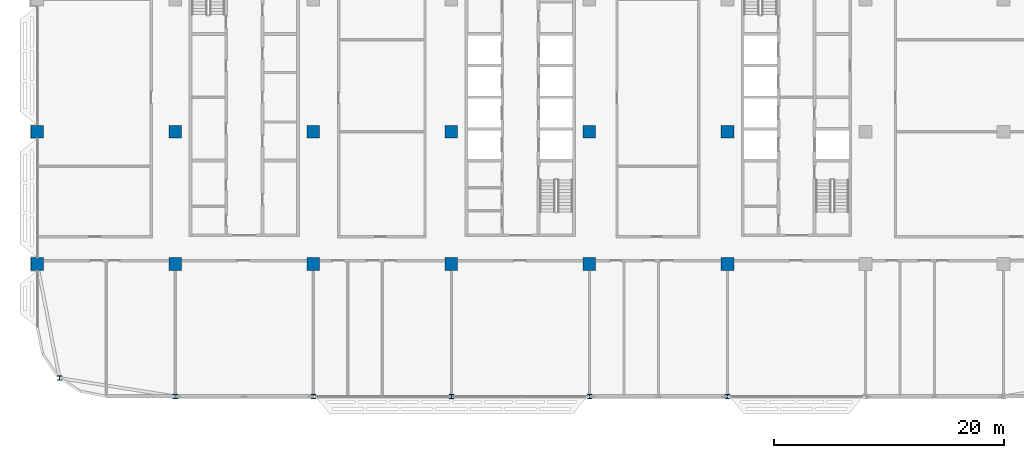
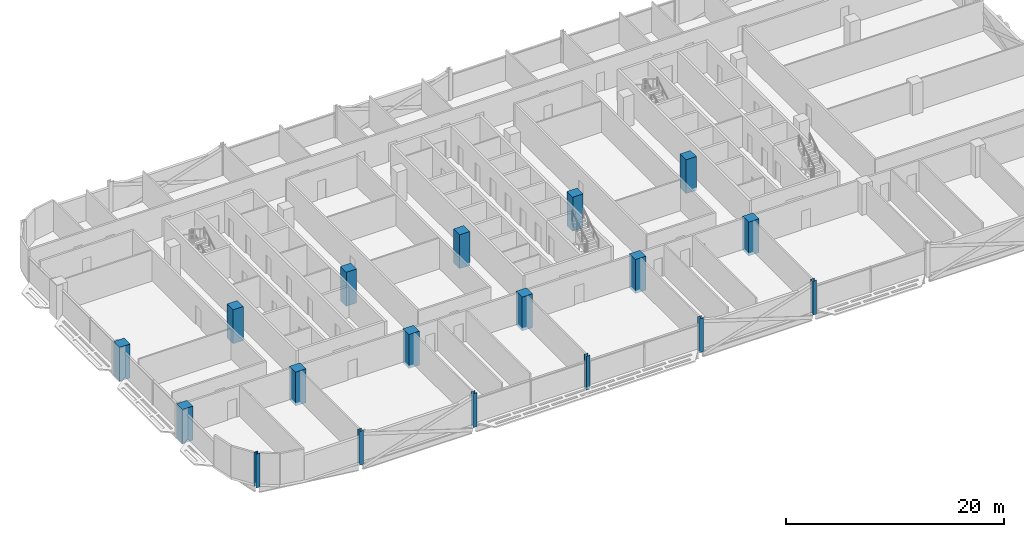
# One storey, part 1 of 30: 18 columns.
"""IFC4 building model written with IfcOpenShell, lengths in metres."""

import ifcopenshell
import ifcopenshell.guid

model = None  # the IFC model being written
_history = None  # IfcOwnerHistory: only IFC2X3 demands one
_inside = {}  # id of a spatial element -> (the spatial element, [elements in it])
_under = {}  # id of a project, library or spatial element -> (it, [spatial elements below it])
_declared = {}  # id of a project -> (the project, [libraries it declares])
_typed = {}  # id of a type object -> (the type object, [elements of that type])
_made_of = {}  # id of a material, layer set ... -> (it, [elements and type objects made of it])


def new_model(schema):
    """Start an empty IFC model of exactly this schema.

    Asked for "IFC4X3", IfcOpenShell would pick the latest addendum, in which some entities
    have other attributes; the version numbers below select the first issue.
    IFC2X3 requires an IfcOwnerHistory on every rooted entity: one is made here for all.
    """
    global model, _history
    if schema == "IFC4X3":
        model = ifcopenshell.file(schema_version=(4, 3, 0, 0))
    else:
        model = ifcopenshell.file(schema=schema)
    _inside.clear()
    _under.clear()
    _declared.clear()
    _typed.clear()
    _made_of.clear()
    _history = None
    if model.schema == "IFC2X3":
        org = make("IfcOrganization", Name="unknown")
        user = make(
            "IfcPersonAndOrganization",
            ThePerson=make("IfcPerson", FamilyName="unknown"),
            TheOrganization=org,
        )
        app = make(
            "IfcApplication",
            ApplicationDeveloper=org,
            Version="unknown",
            ApplicationFullName="unknown",
            ApplicationIdentifier="unknown",
        )
        _history = make(
            "IfcOwnerHistory",
            OwningUser=user,
            OwningApplication=app,
            ChangeAction="ADDED",
            CreationDate=0,
        )
    return model


def make(cls, **values):
    """One entity of the class cls with the attributes given. An attribute that is None is left unset."""
    return model.create_entity(
        cls, **{name: value for name, value in values.items() if value is not None}
    )


def rooted(cls, **values):
    """An entity with a GlobalId (a new one), such as an element, a storey or a relation."""
    return make(cls, GlobalId=ifcopenshell.guid.new(), OwnerHistory=_history, **values)


def si_unit(unit_type, name, prefix=None):
    """IfcSIUnit, for example si_unit("LENGTHUNIT", "METRE", prefix="MILLI")."""
    return make("IfcSIUnit", UnitType=unit_type, Prefix=prefix, Name=name)


def assignment(units):
    """IfcUnitAssignment: the units of a project."""
    return None if units is None else make("IfcUnitAssignment", Units=units)


def point(xyz):
    """IfcCartesianPoint."""
    return None if xyz is None else make("IfcCartesianPoint", Coordinates=xyz)


def direction(xyz):
    """IfcDirection."""
    return None if xyz is None else make("IfcDirection", DirectionRatios=xyz)


def frame(location, z_axis=None, x_axis=None):
    """IfcAxis2Placement3D, a coordinate frame: its origin and axes. An axis left out is left unset."""
    return make(
        "IfcAxis2Placement3D",
        Location=point(location),
        Axis=direction(z_axis),
        RefDirection=direction(x_axis),
    )


def frame_2d(location, x_axis=None):
    """IfcAxis2Placement2D, a coordinate frame in the plane: its origin and x axis."""
    return make(
        "IfcAxis2Placement2D", Location=point(location), RefDirection=direction(x_axis)
    )


def origin():
    """The frame at (0, 0, 0) with its axes left unset."""
    return frame((0.0, 0.0, 0.0))


def origin_2d():
    """The frame at (0, 0) in the plane with its x axis left unset."""
    return frame_2d((0.0, 0.0))


def place(relative_to, where):
    """IfcLocalPlacement: puts the frame where relative to a parent placement (None: the world)."""
    return make(
        "IfcLocalPlacement", PlacementRelTo=relative_to, RelativePlacement=where
    )


def context(
    kind, dimensions, precision=None, world=None, true_north=None, identifier=None
):
    """IfcGeometricRepresentationContext, for example the 3D "Model" context."""
    return make(
        "IfcGeometricRepresentationContext",
        ContextIdentifier=identifier,
        ContextType=kind,
        CoordinateSpaceDimension=dimensions,
        Precision=precision,
        WorldCoordinateSystem=world,
        TrueNorth=true_north,
    )


def subcontext(parent, identifier, kind, view, scale=None):
    """IfcGeometricRepresentationSubContext, for example "Body" below "Model"."""
    return make(
        "IfcGeometricRepresentationSubContext",
        ContextIdentifier=identifier,
        ContextType=kind,
        ParentContext=parent,
        TargetScale=scale,
        TargetView=view,
    )


def project(units=None, contexts=None):
    """IfcProject with its units and contexts."""
    return rooted(
        "IfcProject",
        Name="project",
        RepresentationContexts=contexts,
        UnitsInContext=assignment(units),
    )


def spatial(cls, under=None, at=None, **own):
    """A site, building, storey or space (cls), placed at a placement, below another one or the project."""
    s = rooted(cls, ObjectPlacement=at, **own)
    if under is not None:
        _under.setdefault(under.id(), (under, []))[1].append(s)
    return s


def profile(cls, at=None, kind="AREA", **sizes):
    """A parametric profile (cls). Its sizes go by their IFC names, for example OverallWidth=200.0."""
    return make(cls, ProfileType=kind, Position=at, **sizes)


def rectangle(**sizes):
    """IfcRectangleProfileDef."""
    return profile("IfcRectangleProfileDef", **sizes)


def i_section(**sizes):
    """IfcIShapeProfileDef."""
    return profile("IfcIShapeProfileDef", **sizes)


def extrude(swept, where, along, depth):
    """IfcExtrudedAreaSolid: the profile swept, set in the frame where, extruded along a direction by depth."""
    return make(
        "IfcExtrudedAreaSolid",
        SweptArea=swept,
        Position=where,
        ExtrudedDirection=direction(along),
        Depth=depth,
    )


def shape(context_of_items, identifier, shape_type, items):
    """IfcShapeRepresentation: the items that make up one representation, for example the "Body"."""
    return make(
        "IfcShapeRepresentation",
        ContextOfItems=context_of_items,
        RepresentationIdentifier=identifier,
        RepresentationType=shape_type,
        Items=items,
    )


def material(Name=None, Category=None):
    """IfcMaterial."""
    return make("IfcMaterial", Name=Name, Category=Category)


def material_profile(
    of_material, cross_section, Name=None, Category=None, Priority=None
):
    """IfcMaterialProfile: a cross section and its material."""
    return make(
        "IfcMaterialProfile",
        Name=Name,
        Material=of_material,
        Profile=cross_section,
        Priority=Priority,
        Category=Category,
    )


def profile_set(profiles, Name=None, composite=None):
    """IfcMaterialProfileSet."""
    return make(
        "IfcMaterialProfileSet",
        Name=Name,
        MaterialProfiles=profiles,
        CompositeProfile=composite,
    )


def made_of(thing, what):
    """Note that an element or type object is made of a material, layer set ...; save() writes the relation."""
    if what is not None:
        _made_of.setdefault(what.id(), (what, []))[1].append(thing)
    return thing


def type_object(cls, material=None, **own):
    """A type object (cls), such as IfcWallType, which elements share."""
    return made_of(rooted(cls, **own), material)


def element(
    cls,
    number,
    at=None,
    inside=None,
    cuts=None,
    type_object=None,
    material=None,
    context=None,
    identifier="Body",
    shape_type=None,
    held_by="IfcProductDefinitionShape",
    body=None,
    shapes=None,
    **own,
):
    """One element of the class cls, such as IfcWall. Its Tag is "e" and its number.

    at: its placement. inside: the storey or other place that contains it. cuts: it is an
    opening in that element (IfcRelVoidsElement). A single representation is given by context,
    identifier, shape_type and body (its items); several are given by shapes. held_by: the class
    of the entity that holds the representations. save() writes the other relations.
    """
    e = rooted(cls, Tag="e%d" % number, ObjectPlacement=at, **own)
    if body is not None:
        shapes = [shape(context, identifier, shape_type, body)]
    if shapes is not None:
        e.Representation = make(held_by, Representations=shapes)
    if inside is not None:
        _inside.setdefault(inside.id(), (inside, []))[1].append(e)
    if cuts is not None:
        rooted(
            "IfcRelVoidsElement", RelatingBuildingElement=cuts, RelatedOpeningElement=e
        )
    if type_object is not None:
        _typed.setdefault(type_object.id(), (type_object, []))[1].append(e)
    return made_of(e, material)


def aggregate(whole, parts):
    """IfcRelAggregates: a whole, such as a stair, and the parts it consists of."""
    return rooted("IfcRelAggregates", RelatingObject=whole, RelatedObjects=parts)


def save(model, path):
    """Write the relations noted so far, then the file.

    IfcRelAggregates (storeys below a building ...), IfcRelContainedInSpatialStructure (elements
    in a storey), IfcRelDefinesByType, IfcRelAssociatesMaterial and IfcRelDeclares: one each for
    every whole, place, type object, material and project.
    """
    for whole, parts in _under.values():
        aggregate(whole, parts)
    for where, things in _inside.values():
        rooted(
            "IfcRelContainedInSpatialStructure",
            RelatedElements=things,
            RelatingStructure=where,
        )
    for kind, things in _typed.values():
        rooted("IfcRelDefinesByType", RelatedObjects=things, RelatingType=kind)
    for what, things in _made_of.values():
        rooted("IfcRelAssociatesMaterial", RelatedObjects=things, RelatingMaterial=what)
    for by, libraries in _declared.values():
        rooted("IfcRelDeclares", RelatingContext=by, RelatedDefinitions=libraries)
    model.write(path)


model = new_model("IFC4")

# Units and contexts
model_context = context("Model", 3, precision=1e-05, world=origin(), true_north=direction((0.0, 1.0)))
body_context = subcontext(model_context, "Body", "Model", "MODEL_VIEW")
ifc_project = project(units=[si_unit("LENGTHUNIT", "METRE"), si_unit("AREAUNIT", "SQUARE_METRE"), si_unit("VOLUMEUNIT", "CUBIC_METRE"), si_unit("PLANEANGLEUNIT", "RADIAN"), si_unit("MASSUNIT", "GRAM", prefix="KILO")], contexts=[model_context])

# Site, building, storey
site_placement = place(None, origin())
site = spatial("IfcSite", under=ifc_project, at=site_placement, CompositionType="ELEMENT")
building_placement = place(site_placement, origin())
building = spatial("IfcBuilding", under=site, at=building_placement, Name="Mahtab Terrace Research Tower", CompositionType="ELEMENT")
storey_placement = place(building_placement, frame((0.0, 0.0, 212.89990234375)))
storey = spatial("IfcBuildingStorey", under=building, at=storey_placement, Name="L51", CompositionType="ELEMENT", Elevation=212.89990234375)

# Columns
ifc_material_1 = material(Name="Concrete C70/85", Category="concrete")
ifc_material_profile_1 = material_profile(ifc_material_1, rectangle(XDim=1.10009765625, YDim=1.10009765625, at=origin_2d()), Name="RC column 1100x1100")
ifc_profile_set_1 = profile_set([ifc_material_profile_1], Name="Concrete C70/85")
column_type_1 = type_object("IfcColumnType", Name="RC column 1100x1100", PredefinedType="COLUMN", material=ifc_profile_set_1)
for number, where, z_axis, x_axis, name in (
    (1, (-42.0, -11.5, -0.33984375), (0.0, 0.0, 1.0), (1.0, 0.0, 0.0), "Column RC-1A L51"),
    (2, (-42.0, 0.0, -0.33984375), (0.0, 0.0, 1.0), (1.0, 0.0, 0.0), "Column RC-1B L51"),
    (3, (-30.0, -11.5, -0.33984375), (0.0, 0.0, 1.0), (1.0, 0.0, 0.0), "Column RC-2A L51"),
    (4, (-30.0, 0.0, -0.33984375), (0.0, 0.0, 1.0), (1.0, 0.0, 0.0), "Column RC-2B L51"),
    (5, (-18.0, -11.5, -0.33984375), (0.0, 0.0, 1.0), (1.0, 0.0, 0.0), "Column RC-3A L51"),
    (6, (-18.0, 0.0, -0.33984375), (0.0, 0.0, 1.0), (1.0, 0.0, 0.0), "Column RC-3B L51"),
    (7, (-6.0, -11.5, -0.33984375), (0.0, 0.0, 1.0), (1.0, 0.0, 0.0), "Column RC-4A L51"),
    (8, (-6.0, 0.0, -0.33984375), (0.0, 0.0, 1.0), (1.0, 0.0, 0.0), "Column RC-4B L51"),
    (9, (6.0, -11.5, -0.33984375), (0.0, 0.0, 1.0), (1.0, 0.0, 0.0), "Column RC-5A L51"),
    (10, (6.0, 0.0, -0.33984375), (0.0, 0.0, 1.0), (1.0, 0.0, 0.0), "Column RC-5B L51"),
    (11, (18.0, -11.5, -0.33984375), (0.0, 0.0, 1.0), (1.0, 0.0, 0.0), "Column RC-6A L51"),
    (12, (18.0, 0.0, -0.33984375), (0.0, 0.0, 1.0), (1.0, 0.0, 0.0), "Column RC-6B L51"),
):
    element("IfcColumn", number, at=place(storey_placement, frame(where, z_axis=z_axis, x_axis=x_axis)), inside=storey, type_object=column_type_1, Name=name, PredefinedType="COLUMN", context=body_context, shape_type="SweptSolid", body=[
        extrude(rectangle(XDim=1.10009765625, YDim=1.10009765625, at=origin_2d()), origin(), (0.0, 0.0, 1.0), 3.800048828125),
    ])
ifc_material_2 = material(Name="Steel ASTM A992 Gr 50", Category="steel")
ifc_material_profile_2 = material_profile(ifc_material_2, i_section(OverallWidth=0.4013671875, OverallDepth=0.398681640625, WebThickness=0.02490234375, FlangeThickness=0.03955078125, at=origin_2d()), Name="W14X211")
ifc_profile_set_2 = profile_set([ifc_material_profile_2], Name="Steel ASTM A992 Gr 50")
column_type_2 = type_object("IfcColumnType", Name="W14x211 column CS14211", PredefinedType="COLUMN", material=ifc_profile_set_2)
for number, where, z_axis, x_axis, name in (
    (13, (-40.06201171875, -21.416015625, -0.33984375), (0.0, 0.0, 1.0), (1.0, 0.0, 0.0), "Column SC-025 L51"),
    (14, (-30.0, -23.0, -0.33984375), (0.0, 0.0, 1.0), (1.0, 0.0, 0.0), "Column SC-013 L51"),
    (15, (-18.0, -23.0, -0.33984375), (0.0, 0.0, 1.0), (1.0, 0.0, 0.0), "Column SC-014 L51"),
    (16, (-6.0, -23.0, -0.33984375), (0.0, 0.0, 1.0), (1.0, 0.0, 0.0), "Column SC-015 L51"),
    (17, (6.0, -23.0, -0.33984375), (0.0, 0.0, 1.0), (1.0, 0.0, 0.0), "Column SC-016 L51"),
    (18, (18.0, -23.0, -0.33984375), (0.0, 0.0, 1.0), (1.0, 0.0, 0.0), "Column SC-017 L51"),
):
    element("IfcColumn", number, at=place(storey_placement, frame(where, z_axis=z_axis, x_axis=x_axis)), inside=storey, type_object=column_type_2, Name=name, PredefinedType="COLUMN", context=body_context, shape_type="SweptSolid", body=[
        extrude(i_section(OverallWidth=0.4013671875, OverallDepth=0.398681640625, WebThickness=0.02490234375, FlangeThickness=0.03955078125, at=origin_2d()), origin(), (0.0, 0.0, 1.0), 3.800048828125),
    ])

save(model, "model.ifc")
